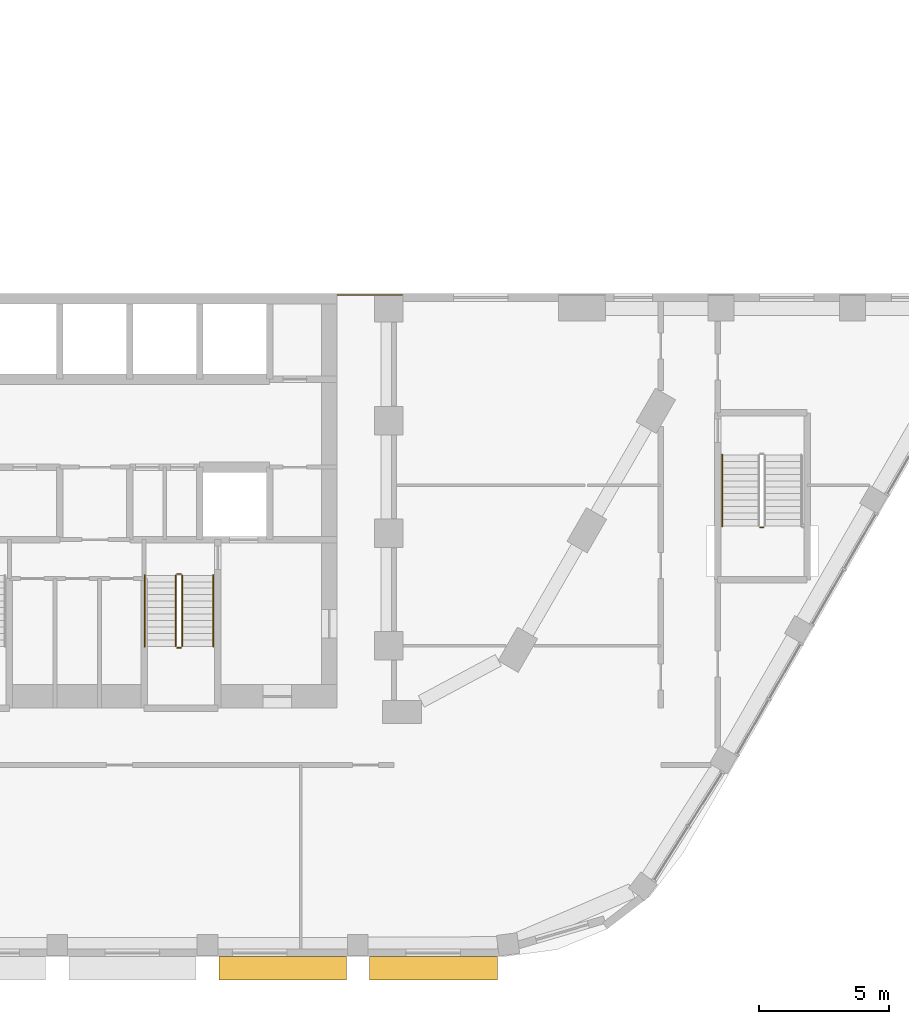
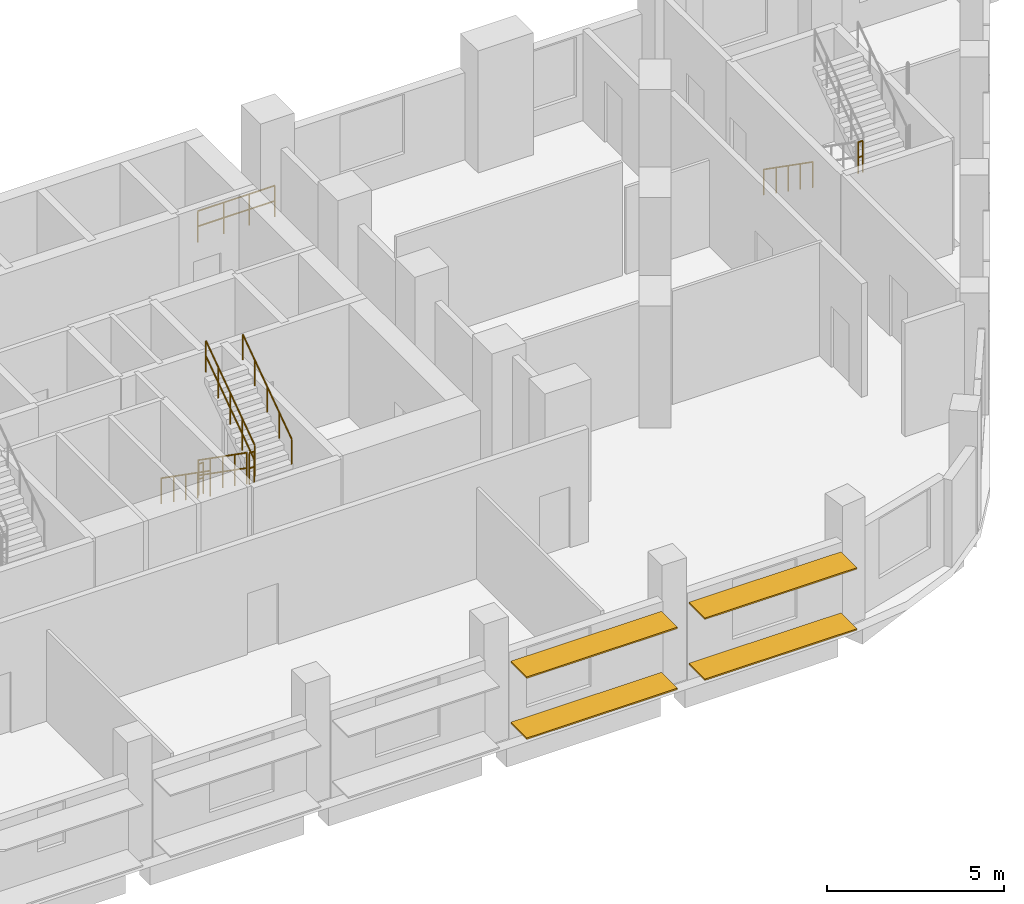
# One storey, part 39 of 47: 9 railings, 4 shading devices.
"""IFC4 building model written with IfcOpenShell, lengths in metres."""

from ifc_helpers import new_model, si_unit, direction, frame, origin, origin_2d, place, context, subcontext, project, spatial, rectangle, circle, extrude, material, material_profile, profile_set, type_object, element, save


model = new_model("IFC4")

# Units and contexts
model_context = context("Model", 3, precision=1e-05, world=origin(), true_north=direction((0.0, 1.0)))
body_context = subcontext(model_context, "Body", "Model", "MODEL_VIEW")
ifc_project = project(units=[si_unit("LENGTHUNIT", "METRE"), si_unit("AREAUNIT", "SQUARE_METRE"), si_unit("VOLUMEUNIT", "CUBIC_METRE"), si_unit("PLANEANGLEUNIT", "RADIAN"), si_unit("MASSUNIT", "GRAM", prefix="KILO")], contexts=[model_context])

# Site, building, storey
site_placement = place(None, origin())
site = spatial("IfcSite", under=ifc_project, at=site_placement, CompositionType="ELEMENT")
building_placement = place(site_placement, origin())
building = spatial("IfcBuilding", under=site, at=building_placement, Name="Nakaniwa Court", CompositionType="ELEMENT")
storey_placement = place(building_placement, frame((0.0, 0.0, 15.60009765625)))
storey = spatial("IfcBuildingStorey", under=building, at=storey_placement, Name="L03", CompositionType="ELEMENT", Elevation=15.60009765625)

# Shading devices
ifc_material_1 = material(Name="Perforated charcoal ceramic louvre blade")
ifc_material_profile = material_profile(ifc_material_1, rectangle(XDim=0.89990234375, YDim=0.050048828125, at=origin_2d()), Name="Perforated ceramic louvre blade")
ifc_profile_set = profile_set([ifc_material_profile], Name="Perforated charcoal ceramic louvre blade")
shading_device_type = type_object("IfcShadingDeviceType", Name="Perforated ceramic louvre blade", PredefinedType="JALOUSIE", material=ifc_profile_set)
for number, where, z_axis, x_axis, name in (
    (1, (83.448486328125, 46.550048828125, 0.5498046875), (1.0, 0.0, 0.0), (0.0, 1.0, 0.0), "L03 perforated ceramic louvre blade w22 1"),
    (2, (83.448486328125, 46.550048828125, 2.64990234375), (1.0, 0.0, 0.0), (0.0, 1.0, 0.0), "L03 perforated ceramic louvre blade w22 2"),
):
    element("IfcShadingDevice", number, at=place(storey_placement, frame(where, z_axis=z_axis, x_axis=x_axis)), inside=storey, type_object=shading_device_type, Name=name, PredefinedType="JALOUSIE", context=body_context, shape_type="SweptSolid", body=[
        extrude(rectangle(XDim=0.89990234375, YDim=0.050048828125, at=origin_2d()), origin(), (0.0, 0.0, 1.0), 4.910400390625),
    ])
for number, where, z_axis, x_axis, name in (
    (3, (89.250732421875, 46.550048828125, 0.5498046875), (1.0, 0.0, 0.0), (0.0, 1.0, 0.0), "L03 perforated ceramic louvre blade w23 1"),
    (4, (89.250732421875, 46.550048828125, 2.64990234375), (1.0, 0.0, 0.0), (0.0, 1.0, 0.0), "L03 perforated ceramic louvre blade w23 2"),
):
    element("IfcShadingDevice", number, at=place(storey_placement, frame(where, z_axis=z_axis, x_axis=x_axis)), inside=storey, type_object=shading_device_type, Name=name, PredefinedType="JALOUSIE", context=body_context, shape_type="SweptSolid", body=[
        extrude(rectangle(XDim=0.89990234375, YDim=0.050048828125, at=origin_2d()), origin(), (0.0, 0.0, 1.0), 4.947998046875),
    ])

# Railings
ifc_material_2 = material(Name="Black powder coated steel guard", Category="steel")
railing_type_1 = type_object("IfcRailingType", Name="Stair guard 1100", PredefinedType="GUARDRAIL", material=ifc_material_2)
railing_1_placement = place(storey_placement, frame((81.77490234375, 61.72509765625, 0.1748046875)))
element("IfcRailing", 5, at=railing_1_placement, inside=storey, type_object=railing_type_1, Name="L03 ST4 stair guard 1", PredefinedType="GUARDRAIL", context=body_context, shape_type="SweptSolid", body=[
    extrude(circle(Radius=0.02392578125, at=origin_2d()), frame((0.0, 0.0, 1.076171875), z_axis=(0.0, -0.819225086817, 0.573472106672), x_axis=(1.0, 0.0, 0.0)), (0.0, 0.0, 1.0), 3.35693359375),
    extrude(circle(Radius=0.02392578125, at=origin_2d()), frame((0.0, 0.0, 0.550048828125), z_axis=(0.0, -0.819225086817, 0.573472106672), x_axis=(1.0, 0.0, 0.0)), (0.0, 0.0, 1.0), 3.35693359375),
    extrude(circle(Radius=0.02099609375, at=origin_2d()), origin(), (0.0, 0.0, 1.0), 1.052001953125),
    extrude(circle(Radius=0.02099609375, at=origin_2d()), frame((0.0, -0.6875, 0.481201171875)), (0.0, 0.0, 1.0), 1.052001953125),
    extrude(circle(Radius=0.02099609375, at=origin_2d()), frame((0.0, -1.375, 0.96240234375)), (0.0, 0.0, 1.0), 1.052001953125),
    extrude(circle(Radius=0.02099609375, at=origin_2d()), frame((0.0, -2.0625, 1.44384765625)), (0.0, 0.0, 1.0), 1.052001953125),
    extrude(circle(Radius=0.02099609375, at=origin_2d()), frame((0.0, -2.75, 1.925048828125)), (0.0, 0.0, 1.0), 1.052001953125),
])
railing_2_placement = place(storey_placement, frame((81.824951171875, 58.925048828125, 2.099853515625)))
element("IfcRailing", 6, at=railing_2_placement, inside=storey, type_object=railing_type_1, Name="L03 ST4 stair guard 2", PredefinedType="GUARDRAIL", context=body_context, shape_type="SweptSolid", body=[
    extrude(circle(Radius=0.02392578125, at=origin_2d()), frame((0.0, 0.0, 1.076171875), z_axis=(1.0, 0.0, 0.0), x_axis=(0.0, 1.0, 0.0)), (0.0, 0.0, 1.0), 0.150146484375),
    extrude(circle(Radius=0.02392578125, at=origin_2d()), frame((0.0, 0.0, 0.550048828125), z_axis=(1.0, 0.0, 0.0), x_axis=(0.0, 1.0, 0.0)), (0.0, 0.0, 1.0), 0.150146484375),
    extrude(circle(Radius=0.02099609375, at=origin_2d()), origin(), (0.0, 0.0, 1.0), 1.052001953125),
    extrude(circle(Radius=0.02099609375, at=origin_2d()), frame((0.150146484375, 0.0, 0.0)), (0.0, 0.0, 1.0), 1.052001953125),
])
railing_3_placement = place(storey_placement, frame((82.02490234375, 58.97509765625, 2.27490234375)))
element("IfcRailing", 7, at=railing_3_placement, inside=storey, type_object=railing_type_1, Name="L03 ST4 stair guard 3", PredefinedType="GUARDRAIL", context=body_context, shape_type="SweptSolid", body=[
    extrude(circle(Radius=0.02392578125, at=origin_2d()), frame((0.0, 0.0, 1.076171875), z_axis=(0.0, 0.819225086817, 0.573472106672), x_axis=(-1.0, 0.0, 0.0)), (0.0, 0.0, 1.0), 3.35693359375),
    extrude(circle(Radius=0.02392578125, at=origin_2d()), frame((0.0, 0.0, 0.550048828125), z_axis=(0.0, 0.819225086817, 0.573472106672), x_axis=(-1.0, 0.0, 0.0)), (0.0, 0.0, 1.0), 3.35693359375),
    extrude(circle(Radius=0.02099609375, at=origin_2d()), origin(), (0.0, 0.0, 1.0), 1.052001953125),
    extrude(circle(Radius=0.02099609375, at=origin_2d()), frame((0.0, 0.6875, 0.481201171875)), (0.0, 0.0, 1.0), 1.052001953125),
    extrude(circle(Radius=0.02099609375, at=origin_2d()), frame((0.0, 1.375, 0.96240234375)), (0.0, 0.0, 1.0), 1.052001953125),
    extrude(circle(Radius=0.02099609375, at=origin_2d()), frame((0.0, 2.0625, 1.44384765625)), (0.0, 0.0, 1.0), 1.052001953125),
    extrude(circle(Radius=0.02099609375, at=origin_2d()), frame((0.0, 2.75, 1.925048828125)), (0.0, 0.0, 1.0), 1.052001953125),
])
for number, where, name in (
    (8, (81.824951171875, 61.77490234375, 0.0), "L03 ST4 stair guard 4"),
    (9, (104.324951171875, 63.574951171875, 2.099853515625), "L03 SS3 stair guard 2"),
):
    element("IfcRailing", number, at=place(storey_placement, frame(where)), inside=storey, type_object=railing_type_1, Name=name, PredefinedType="GUARDRAIL", context=body_context, shape_type="SweptSolid", body=[
        extrude(circle(Radius=0.02392578125, at=origin_2d()), frame((0.0, 0.0, 1.076171875), z_axis=(1.0, 0.0, 0.0), x_axis=(0.0, 1.0, 0.0)), (0.0, 0.0, 1.0), 0.150146484375),
        extrude(circle(Radius=0.02392578125, at=origin_2d()), frame((0.0, 0.0, 0.550048828125), z_axis=(1.0, 0.0, 0.0), x_axis=(0.0, 1.0, 0.0)), (0.0, 0.0, 1.0), 0.150146484375),
        extrude(circle(Radius=0.02099609375, at=origin_2d()), origin(), (0.0, 0.0, 1.0), 1.052001953125),
        extrude(circle(Radius=0.02099609375, at=origin_2d()), frame((0.150146484375, 0.0, 0.0)), (0.0, 0.0, 1.0), 1.052001953125),
    ])
railing_4_placement = place(storey_placement, frame((88.014892578125, 72.550048828125, 0.0)))
element("IfcRailing", 10, at=railing_4_placement, inside=storey, type_object=railing_type_1, Name="GUARD GD-L03-046", PredefinedType="GUARDRAIL", context=body_context, shape_type="SweptSolid", body=[
    extrude(circle(Radius=0.02392578125, at=origin_2d()), frame((0.0, 0.0, 1.076171875), z_axis=(1.0, 0.0, 0.0), x_axis=(0.0, 1.0, 0.0)), (0.0, 0.0, 1.0), 2.507080078125),
    extrude(circle(Radius=0.02392578125, at=origin_2d()), frame((0.0, 0.0, 0.550048828125), z_axis=(1.0, 0.0, 0.0), x_axis=(0.0, 1.0, 0.0)), (0.0, 0.0, 1.0), 2.507080078125),
    extrude(circle(Radius=0.02099609375, at=origin_2d()), origin(), (0.0, 0.0, 1.0), 1.052001953125),
    extrude(circle(Radius=0.02099609375, at=origin_2d()), frame((0.835693359375, 0.0, 0.0)), (0.0, 0.0, 1.0), 1.052001953125),
    extrude(circle(Radius=0.02099609375, at=origin_2d()), frame((1.67138671875, 0.0, 0.0)), (0.0, 0.0, 1.0), 1.052001953125),
    extrude(circle(Radius=0.02099609375, at=origin_2d()), frame((2.507080078125, 0.0, 0.0)), (0.0, 0.0, 1.0), 1.052001953125),
])
ifc_material_3 = material(Name="Black powder coated steel handrail", Category="steel")
railing_type_2 = type_object("IfcRailingType", Name="Stair handrail 900", PredefinedType="HANDRAIL", material=ifc_material_3)
railing_5_placement = place(storey_placement, frame((80.574951171875, 61.72509765625, 0.1748046875)))
element("IfcRailing", 11, at=railing_5_placement, inside=storey, type_object=railing_type_2, Name="L03 ST4 stair handrail 1", PredefinedType="HANDRAIL", context=body_context, shape_type="SweptSolid", body=[
    extrude(circle(Radius=0.02392578125, at=origin_2d()), frame((0.0, 0.0, 0.8759765625), z_axis=(0.0, -0.819225086817, 0.573472106672), x_axis=(1.0, 0.0, 0.0)), (0.0, 0.0, 1.0), 3.35693359375),
    extrude(circle(Radius=0.02099609375, at=origin_2d()), origin(), (0.0, 0.0, 1.0), 0.851806640625),
    extrude(circle(Radius=0.02099609375, at=origin_2d()), frame((0.0, -0.6875, 0.481201171875)), (0.0, 0.0, 1.0), 0.851806640625),
    extrude(circle(Radius=0.02099609375, at=origin_2d()), frame((0.0, -1.375, 0.96240234375)), (0.0, 0.0, 1.0), 0.851806640625),
    extrude(circle(Radius=0.02099609375, at=origin_2d()), frame((0.0, -2.0625, 1.44384765625)), (0.0, 0.0, 1.0), 0.851806640625),
    extrude(circle(Radius=0.02099609375, at=origin_2d()), frame((0.0, -2.75, 1.925048828125)), (0.0, 0.0, 1.0), 0.851806640625),
])
railing_6_placement = place(storey_placement, frame((83.22509765625, 58.97509765625, 2.27490234375)))
element("IfcRailing", 12, at=railing_6_placement, inside=storey, type_object=railing_type_2, Name="L03 ST4 stair handrail 2", PredefinedType="HANDRAIL", context=body_context, shape_type="SweptSolid", body=[
    extrude(circle(Radius=0.02392578125, at=origin_2d()), frame((0.0, 0.0, 0.8759765625), z_axis=(0.0, 0.819225086817, 0.573472106672), x_axis=(-1.0, 0.0, 0.0)), (0.0, 0.0, 1.0), 3.35693359375),
    extrude(circle(Radius=0.02099609375, at=origin_2d()), origin(), (0.0, 0.0, 1.0), 0.851806640625),
    extrude(circle(Radius=0.02099609375, at=origin_2d()), frame((0.0, 0.6875, 0.481201171875)), (0.0, 0.0, 1.0), 0.851806640625),
    extrude(circle(Radius=0.02099609375, at=origin_2d()), frame((0.0, 1.375, 0.96240234375)), (0.0, 0.0, 1.0), 0.851806640625),
    extrude(circle(Radius=0.02099609375, at=origin_2d()), frame((0.0, 2.0625, 1.44384765625)), (0.0, 0.0, 1.0), 0.851806640625),
    extrude(circle(Radius=0.02099609375, at=origin_2d()), frame((0.0, 2.75, 1.925048828125)), (0.0, 0.0, 1.0), 0.851806640625),
])
railing_7_placement = place(storey_placement, frame((102.875, 66.375, 0.1748046875)))
element("IfcRailing", 13, at=railing_7_placement, inside=storey, type_object=railing_type_2, Name="L03 SS3 stair handrail 1", PredefinedType="HANDRAIL", context=body_context, shape_type="SweptSolid", body=[
    extrude(circle(Radius=0.02392578125, at=origin_2d()), frame((0.0, 0.0, 0.8759765625), z_axis=(0.0, -0.819225086817, 0.573472106672), x_axis=(1.0, 0.0, 0.0)), (0.0, 0.0, 1.0), 3.35693359375),
    extrude(circle(Radius=0.02099609375, at=origin_2d()), origin(), (0.0, 0.0, 1.0), 0.851806640625),
    extrude(circle(Radius=0.02099609375, at=origin_2d()), frame((0.0, -0.6875, 0.481201171875)), (0.0, 0.0, 1.0), 0.851806640625),
    extrude(circle(Radius=0.02099609375, at=origin_2d()), frame((0.0, -1.375, 0.96240234375)), (0.0, 0.0, 1.0), 0.851806640625),
    extrude(circle(Radius=0.02099609375, at=origin_2d()), frame((0.0, -2.0625, 1.44384765625)), (0.0, 0.0, 1.0), 0.851806640625),
    extrude(circle(Radius=0.02099609375, at=origin_2d()), frame((0.0, -2.75, 1.925048828125)), (0.0, 0.0, 1.0), 0.851806640625),
])

save(model, "model.ifc")
